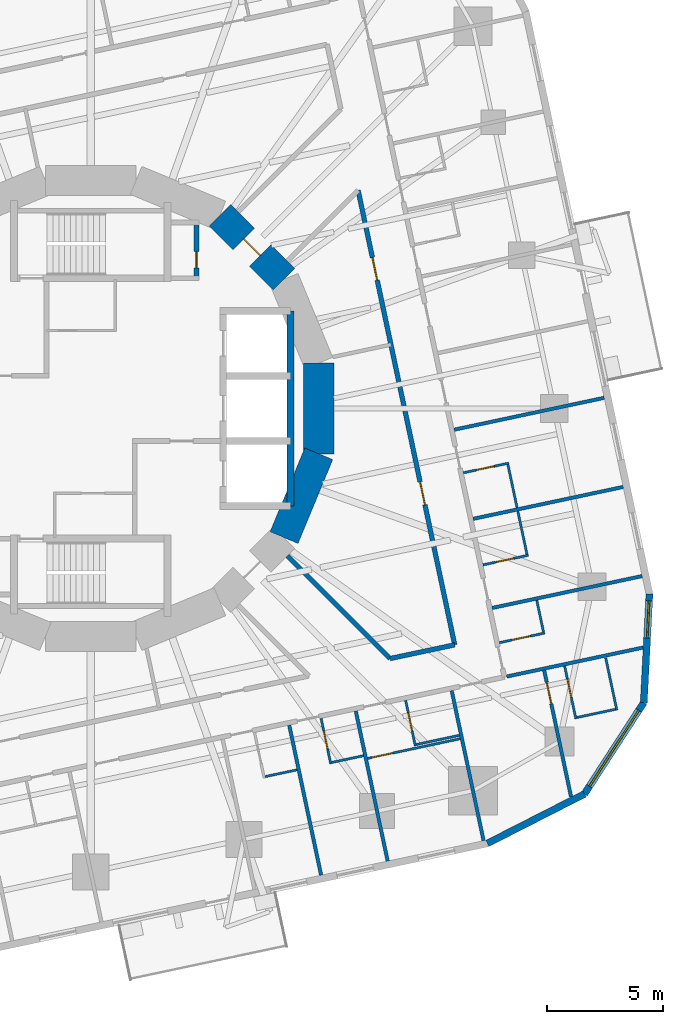
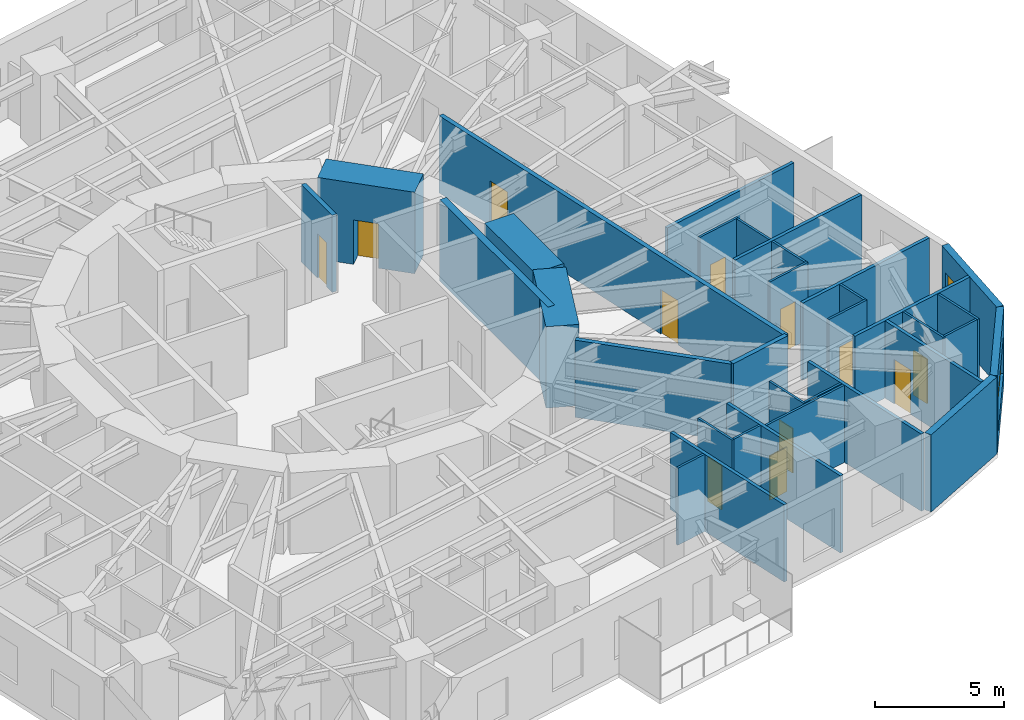
# One storey, part 8 of 14: 34 walls, 12 doors, 2 windows, 14 openings.
"""IFC4 building model written with IfcOpenShell, lengths in metres."""

from ifc_helpers import new_model, si_unit, direction, frame, frame_2d, origin, place, context, subcontext, project, spatial, rectangle, extrude, material, layer, layer_set, type_object, element, fill, save


model = new_model("IFC4")

# Units and contexts
model_context = context("Model", 3, precision=1e-05, world=origin(), true_north=direction((0.0, 1.0)))
body_context = subcontext(model_context, "Body", "Model", "MODEL_VIEW")
ifc_project = project(units=[si_unit("LENGTHUNIT", "METRE"), si_unit("AREAUNIT", "SQUARE_METRE"), si_unit("VOLUMEUNIT", "CUBIC_METRE"), si_unit("PLANEANGLEUNIT", "RADIAN"), si_unit("MASSUNIT", "GRAM", prefix="KILO")], contexts=[model_context])

# Site, building, storey
site_placement = place(None, origin())
site = spatial("IfcSite", under=ifc_project, at=site_placement, CompositionType="ELEMENT")
building_placement = place(site_placement, origin())
building = spatial("IfcBuilding", under=site, at=building_placement, Name="Nakasero Lantern House", CompositionType="ELEMENT")
storey_placement = place(building_placement, frame((0.0, 0.0, 120.39990234375)))
storey = spatial("IfcBuildingStorey", under=building, at=storey_placement, Name="L29", CompositionType="ELEMENT", Elevation=120.39990234375)

# Wall
ifc_material_1 = material(Name="Concrete C50/60", Category="concrete")
ifc_layer_1 = layer(ifc_material_1, 0.300048828125)
ifc_layer_set_1 = layer_set([ifc_layer_1], Name="Core inner wall 300")
wall_type_1 = type_object("IfcWallType", Name="Core inner wall 300", PredefinedType="SHEAR", material=ifc_layer_set_1)
wall_1_placement = place(storey_placement, frame((8.60009765625, -4.199951171875, 0.0), z_axis=(0.0, 0.0, 1.0), x_axis=(0.0, 1.0, 0.0)))
element("IfcWall", 1, at=wall_1_placement, inside=storey, type_object=wall_type_1, Name="Core inner wall L29 LEB", PredefinedType="SHEAR", context=body_context, shape_type="SweptSolid", body=[
    extrude(rectangle(XDim=8.39990234375, YDim=0.300048828125, at=frame_2d((4.199951171875, 0.0))), origin(), (0.0, 0.0, 1.0), 3.85009765625),
])

# Wall, opening, door
ifc_material_2 = material(Name="Concrete C50/60", Category="concrete")
ifc_layer_2 = layer(ifc_material_2, 1.300048828125)
ifc_layer_set_2 = layer_set([ifc_layer_2], Name="Core wall 1300")
wall_type_2 = type_object("IfcWallType", Name="Core wall 1300", PredefinedType="SHEAR", material=ifc_layer_set_2)
wall_2_placement = place(storey_placement, frame((8.314697265625, 5.5556640625, 0.0), z_axis=(0.0, 0.0, 1.0), x_axis=(-0.707106781187, 0.707106781187, 0.0)))
wall_2 = element("IfcWall", 2, at=wall_2_placement, inside=storey, type_object=wall_type_2, Name="Core wall L29 facet 2", PredefinedType="SHEAR", context=body_context, shape_type="SweptSolid", body=[
    extrude(rectangle(XDim=3.90185546875, YDim=1.300048828125, at=frame_2d((1.950927734375, 0.0))), origin(), (0.0, 0.0, 1.0), 3.85009765625),
])
opening_1_placement = place(wall_2_placement, frame((1.450927734375, 0.0, 0.0)))
opening_1 = element("IfcOpeningElement", 3, at=opening_1_placement, cuts=wall_2, Name="Opening D05", PredefinedType="OPENING", context=body_context, shape_type="SweptSolid", body=[
    extrude(rectangle(XDim=1.0, YDim=2.10009765625, at=frame_2d((0.5, 1.050048828125))), frame((0.0, 0.669921875, 0.0), z_axis=(0.0, -1.0, 0.0), x_axis=(1.0, 0.0, 0.0)), (0.0, 0.0, 1.0), 1.340087890625),
])
ifc_material_3 = material(Name="Timber C24", Category="wood")
door_type_1 = type_object("IfcDoorType", Name="Core door FD60S 1000", OperationType="SINGLE_SWING_LEFT", PredefinedType="DOOR", material=ifc_material_3)
door_1_placement = place(opening_1_placement, origin())
door_1 = element("IfcDoor", 4, at=door_1_placement, inside=storey, type_object=door_type_1, Name="Door L29 D-CORE02", OperationType="SINGLE_SWING_LEFT", OverallHeight=2.10009765625, OverallWidth=1.0, PredefinedType="DOOR", context=body_context, shape_type="SweptSolid", body=[
    extrude(rectangle(XDim=1.0, YDim=2.10009765625, at=frame_2d((0.5, 1.050048828125))), frame((0.0, 0.02490234375, 0.0), z_axis=(0.0, -1.0, 0.0), x_axis=(1.0, 0.0, 0.0)), (0.0, 0.0, 1.0), 0.050048828125),
])
fill(opening_1, door_1)

# Walls
for number, where, z_axis, x_axis, name in (
    (5, (8.314697265625, -5.5556640625, 0.0), (0.0, 0.0, 1.0), (0.382690736062, 0.923876507187, 0.0), "Core wall L29 facet 15"),
    (6, (9.807861328125, -1.950927734375, 0.0), (0.0, 0.0, 1.0), (0.0, 1.0, 0.0), "Core wall L29 facet 16"),
):
    element("IfcWall", number, at=place(storey_placement, frame(where, z_axis=z_axis, x_axis=x_axis)), inside=storey, type_object=wall_type_2, Name=name, PredefinedType="SHEAR", context=body_context, shape_type="SweptSolid", body=[
        extrude(rectangle(XDim=3.90185546875, YDim=1.300048828125, at=frame_2d((1.950927734375, 0.0))), origin(), (0.0, 0.0, 1.0), 3.85009765625),
    ])

# Wall, openings, doors
ifc_material_4 = material(Name="Blockwork", Category="masonry")
ifc_layer_3 = layer(ifc_material_4, 0.199951171875)
ifc_layer_set_3 = layer_set([ifc_layer_3], Name="Corridor wall 200")
wall_type_3 = type_object("IfcWallType", Name="Corridor wall 200", PredefinedType="PARTITIONING", material=ifc_layer_set_3)
wall_3_placement = place(storey_placement, frame((15.656005859375, -10.1669921875, 0.0), z_axis=(0.0, 0.0, 1.0), x_axis=(-0.20791018816, 0.978147920132, 0.0)))
wall_3 = element("IfcWall", 7, at=wall_3_placement, inside=storey, type_object=wall_type_3, Name="Corridor wall L29 IW0-0", PredefinedType="PARTITIONING", context=body_context, shape_type="SweptSolid", body=[
    extrude(rectangle(XDim=19.983642578125, YDim=0.199951171875, at=frame_2d((9.99169921875, 0.0))), origin(), (0.0, 0.0, 1.0), 3.650146484375),
])
opening_2_placement = place(wall_3_placement, frame((6.162353515625, 0.0, 0.0)))
opening_2 = element("IfcOpeningElement", 8, at=opening_2_placement, cuts=wall_3, Name="Opening D07", PredefinedType="OPENING", context=body_context, shape_type="SweptSolid", body=[
    extrude(rectangle(XDim=1.0, YDim=2.10009765625, at=frame_2d((0.5, 1.050048828125))), frame((0.0, 0.119873046875, 0.0), z_axis=(0.0, -1.0, 0.0), x_axis=(1.0, 0.0, 0.0)), (0.0, 0.0, 1.0), 0.239990234375),
])
opening_3_placement = place(wall_3_placement, frame((16.029296875, 0.0, 0.0)))
opening_3 = element("IfcOpeningElement", 9, at=opening_3_placement, cuts=wall_3, Name="Opening D07", PredefinedType="OPENING", context=body_context, shape_type="SweptSolid", body=[
    extrude(rectangle(XDim=1.0, YDim=2.10009765625, at=frame_2d((0.5, 1.050048828125))), frame((0.0, 0.119873046875, 0.0), z_axis=(0.0, -1.0, 0.0), x_axis=(1.0, 0.0, 0.0)), (0.0, 0.0, 1.0), 0.239990234375),
])
ifc_material_5 = material(Name="Timber C24", Category="wood")
door_type_2 = type_object("IfcDoorType", Name="Room door FD30S 1000", OperationType="SINGLE_SWING_LEFT", PredefinedType="DOOR", material=ifc_material_5)
door_2_placement = place(opening_2_placement, origin())
door_2 = element("IfcDoor", 10, at=door_2_placement, inside=storey, type_object=door_type_2, Name="Door L29 DI3", OperationType="SINGLE_SWING_LEFT", OverallHeight=2.10009765625, OverallWidth=1.0, PredefinedType="DOOR", context=body_context, shape_type="SweptSolid", body=[
    extrude(rectangle(XDim=1.0, YDim=2.10009765625, at=frame_2d((0.5, 1.050048828125))), frame((0.0, 0.02490234375, 0.0), z_axis=(0.0, -1.0, 0.0), x_axis=(1.0, 0.0, 0.0)), (0.0, 0.0, 1.0), 0.050048828125),
])
fill(opening_2, door_2)
door_3_placement = place(opening_3_placement, origin())
door_3 = element("IfcDoor", 11, at=door_3_placement, inside=storey, type_object=door_type_2, Name="Door L29 DI4", OperationType="SINGLE_SWING_RIGHT", OverallHeight=2.10009765625, OverallWidth=1.0, PredefinedType="DOOR", context=body_context, shape_type="SweptSolid", body=[
    extrude(rectangle(XDim=1.0, YDim=2.10009765625, at=frame_2d((0.5, 1.050048828125))), frame((0.0, 0.02490234375, 0.0), z_axis=(0.0, -1.0, 0.0), x_axis=(1.0, 0.0, 0.0)), (0.0, 0.0, 1.0), 0.050048828125),
])
fill(opening_3, door_3)

# Walls
wall_4_placement = place(storey_placement, frame((12.878662109375, -10.75732421875, 0.0), z_axis=(0.0, 0.0, 1.0), x_axis=(0.97814836043, 0.207908116695, 0.0)))
element("IfcWall", 12, at=wall_4_placement, inside=storey, type_object=wall_type_3, Name="Corridor wall L29 IW3-1", PredefinedType="PARTITIONING", context=body_context, shape_type="SweptSolid", body=[
    extrude(rectangle(XDim=2.83935546875, YDim=0.199951171875, at=frame_2d((1.419677734375, 0.0))), origin(), (0.0, 0.0, 1.0), 3.650146484375),
])
wall_5_placement = place(storey_placement, frame((8.45556640625, -6.334228515625, 0.0), z_axis=(0.0, 0.0, 1.0), x_axis=(0.707106781187, -0.707106781187, 0.0)))
element("IfcWall", 13, at=wall_5_placement, inside=storey, type_object=wall_type_3, Name="Corridor wall L29 PS14a", PredefinedType="PARTITIONING", context=body_context, shape_type="SweptSolid", body=[
    extrude(rectangle(XDim=6.255126953125, YDim=0.199951171875, at=frame_2d((3.12744140625, 0.0))), origin(), (0.0, 0.0, 1.0), 3.650146484375),
])

# Wall, opening, door
ifc_material_6 = material(Name="Blockwork", Category="masonry")
ifc_layer_4 = layer(ifc_material_6, 0.10009765625)
ifc_layer_set_4 = layer_set([ifc_layer_4], Name="En-suite wall 100")
wall_type_4 = type_object("IfcWallType", Name="En-suite wall 100", PredefinedType="PARTITIONING", material=ifc_layer_set_4)
wall_6_placement = place(storey_placement, frame((17.57861328125, -10.07421875, 0.0), z_axis=(0.0, 0.0, 1.0), x_axis=(0.978152955943, 0.207886494942, 0.0)))
wall_6 = element("IfcWall", 14, at=wall_6_placement, inside=storey, type_object=wall_type_4, Name="En-suite wall L29 ES0-00", PredefinedType="PARTITIONING", context=body_context, shape_type="SweptSolid", body=[
    extrude(rectangle(XDim=2.0, YDim=0.10009765625, at=frame_2d((1.0, 0.0))), origin(), (0.0, 0.0, 1.0), 3.650146484375),
])
opening_4_placement = place(wall_6_placement, frame((0.550048828125, 0.0, 0.0)))
opening_4 = element("IfcOpeningElement", 15, at=opening_4_placement, cuts=wall_6, Name="Opening D02", PredefinedType="OPENING", context=body_context, shape_type="SweptSolid", body=[
    extrude(rectangle(XDim=0.800048828125, YDim=2.10009765625, at=frame_2d((0.39990234375, 1.050048828125))), frame((0.0, 0.070068359375, 0.0), z_axis=(0.0, -1.0, 0.0), x_axis=(1.0, 0.0, 0.0)), (0.0, 0.0, 1.0), 0.14013671875),
])
ifc_material_7 = material(Name="Timber C24", Category="wood")
door_type_3 = type_object("IfcDoorType", Name="En-suite door 800", OperationType="SINGLE_SWING_RIGHT", PredefinedType="DOOR", material=ifc_material_7)
door_4_placement = place(opening_4_placement, origin())
door_4 = element("IfcDoor", 16, at=door_4_placement, inside=storey, type_object=door_type_3, Name="Door L29 DE0-00", OperationType="SINGLE_SWING_LEFT", OverallHeight=2.10009765625, OverallWidth=0.800048828125, PredefinedType="DOOR", context=body_context, shape_type="SweptSolid", body=[
    extrude(rectangle(XDim=0.800048828125, YDim=2.10009765625, at=frame_2d((0.39990234375, 1.050048828125))), frame((0.0, 0.02490234375, 0.0), z_axis=(0.0, -1.0, 0.0), x_axis=(1.0, 0.0, 0.0)), (0.0, 0.0, 1.0), 0.050048828125),
])
fill(opening_4, door_4)

# Wall
wall_7_placement = place(storey_placement, frame((19.4755859375, -9.619873046875, 0.0), z_axis=(0.0, 0.0, 1.0), x_axis=(-0.207873355681, 0.978155748334, 0.0)))
element("IfcWall", 17, at=wall_7_placement, inside=storey, type_object=wall_type_4, Name="En-suite wall L29 EE0-00", PredefinedType="PARTITIONING", context=body_context, shape_type="SweptSolid", body=[
    extrude(rectangle(XDim=1.39990234375, YDim=0.10009765625, at=frame_2d((0.699951171875, 0.0))), origin(), (0.0, 0.0, 1.0), 3.650146484375),
])

# Wall, opening, door
wall_8_placement = place(storey_placement, frame((16.86767578125, -6.7294921875, 0.0), z_axis=(0.0, 0.0, 1.0), x_axis=(0.978128127149, 0.208003285743, 0.0)))
wall_8 = element("IfcWall", 18, at=wall_8_placement, inside=storey, type_object=wall_type_4, Name="En-suite wall L29 ES0-01", PredefinedType="PARTITIONING", context=body_context, shape_type="SweptSolid", body=[
    extrude(rectangle(XDim=2.0, YDim=0.10009765625, at=frame_2d((1.0, 0.0))), origin(), (0.0, 0.0, 1.0), 3.650146484375),
])
opening_5_placement = place(wall_8_placement, frame((0.550048828125, 0.0, 0.0)))
opening_5 = element("IfcOpeningElement", 19, at=opening_5_placement, cuts=wall_8, Name="Opening D02", PredefinedType="OPENING", context=body_context, shape_type="SweptSolid", body=[
    extrude(rectangle(XDim=0.800048828125, YDim=2.10009765625, at=frame_2d((0.39990234375, 1.050048828125))), frame((0.0, 0.070068359375, 0.0), z_axis=(0.0, -1.0, 0.0), x_axis=(1.0, 0.0, 0.0)), (0.0, 0.0, 1.0), 0.14013671875),
])
door_5_placement = place(opening_5_placement, origin())
door_5 = element("IfcDoor", 20, at=door_5_placement, inside=storey, type_object=door_type_3, Name="Door L29 DE0-01", OperationType="SINGLE_SWING_LEFT", OverallHeight=2.10009765625, OverallWidth=0.800048828125, PredefinedType="DOOR", context=body_context, shape_type="SweptSolid", body=[
    extrude(rectangle(XDim=0.800048828125, YDim=2.10009765625, at=frame_2d((0.39990234375, 1.050048828125))), frame((0.0, 0.02490234375, 0.0), z_axis=(0.0, -1.0, 0.0), x_axis=(1.0, 0.0, 0.0)), (0.0, 0.0, 1.0), 0.050048828125),
])
fill(opening_5, door_5)

# Wall
wall_9_placement = place(storey_placement, frame((18.7646484375, -6.275146484375, 0.0), z_axis=(0.0, 0.0, 1.0), x_axis=(-0.207887952389, 0.978152646192, 0.0)))
element("IfcWall", 21, at=wall_9_placement, inside=storey, type_object=wall_type_4, Name="En-suite wall L29 EE0-01", PredefinedType="PARTITIONING", context=body_context, shape_type="SweptSolid", body=[
    extrude(rectangle(XDim=1.900146484375, YDim=0.10009765625, at=frame_2d((0.9501953125, 0.0))), origin(), (0.0, 0.0, 1.0), 3.650146484375),
])

# Wall, opening, door
wall_10_placement = place(storey_placement, frame((16.025634765625, -2.767822265625, 0.0), z_axis=(0.0, 0.0, 1.0), x_axis=(0.978152955943, 0.207886494942, 0.0)))
wall_10 = element("IfcWall", 22, at=wall_10_placement, inside=storey, type_object=wall_type_4, Name="En-suite wall L29 ES0-02", PredefinedType="PARTITIONING", context=body_context, shape_type="SweptSolid", body=[
    extrude(rectangle(XDim=2.0, YDim=0.10009765625, at=frame_2d((1.0, 0.0))), origin(), (0.0, 0.0, 1.0), 3.650146484375),
])
opening_6_placement = place(wall_10_placement, frame((0.550048828125, 0.0, 0.0)))
opening_6 = element("IfcOpeningElement", 23, at=opening_6_placement, cuts=wall_10, Name="Opening D02", PredefinedType="OPENING", context=body_context, shape_type="SweptSolid", body=[
    extrude(rectangle(XDim=0.800048828125, YDim=2.10009765625, at=frame_2d((0.39990234375, 1.050048828125))), frame((0.0, 0.070068359375, 0.0), z_axis=(0.0, -1.0, 0.0), x_axis=(1.0, 0.0, 0.0)), (0.0, 0.0, 1.0), 0.14013671875),
])
door_6_placement = place(opening_6_placement, origin())
door_6 = element("IfcDoor", 24, at=door_6_placement, inside=storey, type_object=door_type_3, Name="Door L29 DE0-02", OperationType="SINGLE_SWING_LEFT", OverallHeight=2.10009765625, OverallWidth=0.800048828125, PredefinedType="DOOR", context=body_context, shape_type="SweptSolid", body=[
    extrude(rectangle(XDim=0.800048828125, YDim=2.10009765625, at=frame_2d((0.39990234375, 1.050048828125))), frame((0.0, 0.02490234375, 0.0), z_axis=(0.0, -1.0, 0.0), x_axis=(1.0, 0.0, 0.0)), (0.0, 0.0, 1.0), 0.050048828125),
])
fill(opening_6, door_6)

# Walls
wall_11_placement = place(storey_placement, frame((18.33837890625, -4.269775390625, 0.0), z_axis=(0.0, 0.0, 1.0), x_axis=(-0.207914082431, 0.978147092378, 0.0)))
element("IfcWall", 25, at=wall_11_placement, inside=storey, type_object=wall_type_4, Name="En-suite wall L29 EE0-02", PredefinedType="PARTITIONING", context=body_context, shape_type="SweptSolid", body=[
    extrude(rectangle(XDim=1.89990234375, YDim=0.10009765625, at=frame_2d((0.949951171875, 0.0))), origin(), (0.0, 0.0, 1.0), 3.650146484375),
])
wall_12_placement = place(storey_placement, frame((7.50048828125, -15.836669921875, 0.0), z_axis=(0.0, 0.0, 1.0), x_axis=(0.978155748334, 0.207873355681, 0.0)))
element("IfcWall", 26, at=wall_12_placement, inside=storey, type_object=wall_type_4, Name="En-suite wall L29 EE3-05", PredefinedType="PARTITIONING", context=body_context, shape_type="SweptSolid", body=[
    extrude(rectangle(XDim=1.39990234375, YDim=0.10009765625, at=frame_2d((0.699951171875, 0.0))), origin(), (0.0, 0.0, 1.0), 3.650146484375),
])

# Wall, opening, door
wall_13_placement = place(storey_placement, frame((9.908447265625, -13.331298828125, 0.0), z_axis=(0.0, 0.0, 1.0), x_axis=(0.208003285743, -0.978128127149, 0.0)))
wall_13 = element("IfcWall", 27, at=wall_13_placement, inside=storey, type_object=wall_type_4, Name="En-suite wall L29 ES3-06", PredefinedType="PARTITIONING", context=body_context, shape_type="SweptSolid", body=[
    extrude(rectangle(XDim=2.0, YDim=0.10009765625, at=frame_2d((1.0, 0.0))), origin(), (0.0, 0.0, 1.0), 3.650146484375),
])
opening_7_placement = place(wall_13_placement, frame((0.550048828125, 0.0, 0.0)))
opening_7 = element("IfcOpeningElement", 28, at=opening_7_placement, cuts=wall_13, Name="Opening D02", PredefinedType="OPENING", context=body_context, shape_type="SweptSolid", body=[
    extrude(rectangle(XDim=0.800048828125, YDim=2.10009765625, at=frame_2d((0.39990234375, 1.050048828125))), frame((0.0, 0.070068359375, 0.0), z_axis=(0.0, -1.0, 0.0), x_axis=(1.0, 0.0, 0.0)), (0.0, 0.0, 1.0), 0.14013671875),
])
door_7_placement = place(opening_7_placement, origin())
door_7 = element("IfcDoor", 29, at=door_7_placement, inside=storey, type_object=door_type_3, Name="Door L29 DE3-06", OperationType="SINGLE_SWING_LEFT", OverallHeight=2.10009765625, OverallWidth=0.800048828125, PredefinedType="DOOR", context=body_context, shape_type="SweptSolid", body=[
    extrude(rectangle(XDim=0.800048828125, YDim=2.10009765625, at=frame_2d((0.39990234375, 1.050048828125))), frame((0.0, 0.02490234375, 0.0), z_axis=(0.0, -1.0, 0.0), x_axis=(1.0, 0.0, 0.0)), (0.0, 0.0, 1.0), 0.050048828125),
])
fill(opening_7, door_7)

# Wall
wall_14_placement = place(storey_placement, frame((10.36279296875, -15.228271484375, 0.0), z_axis=(0.0, 0.0, 1.0), x_axis=(0.978155748334, 0.207873355681, 0.0)))
element("IfcWall", 30, at=wall_14_placement, inside=storey, type_object=wall_type_4, Name="En-suite wall L29 EE3-06", PredefinedType="PARTITIONING", context=body_context, shape_type="SweptSolid", body=[
    extrude(rectangle(XDim=1.39990234375, YDim=0.10009765625, at=frame_2d((0.699951171875, 0.0))), origin(), (0.0, 0.0, 1.0), 3.650146484375),
])

# Wall, opening, door
wall_15_placement = place(storey_placement, frame((13.54541015625, -12.55810546875, 0.0), z_axis=(0.0, 0.0, 1.0), x_axis=(0.207886494942, -0.978152955943, 0.0)))
wall_15 = element("IfcWall", 31, at=wall_15_placement, inside=storey, type_object=wall_type_4, Name="En-suite wall L29 ES3-07", PredefinedType="PARTITIONING", context=body_context, shape_type="SweptSolid", body=[
    extrude(rectangle(XDim=2.0, YDim=0.10009765625, at=frame_2d((1.0, 0.0))), origin(), (0.0, 0.0, 1.0), 3.650146484375),
])
opening_8_placement = place(wall_15_placement, frame((0.550048828125, 0.0, 0.0)))
opening_8 = element("IfcOpeningElement", 32, at=opening_8_placement, cuts=wall_15, Name="Opening D02", PredefinedType="OPENING", context=body_context, shape_type="SweptSolid", body=[
    extrude(rectangle(XDim=0.800048828125, YDim=2.10009765625, at=frame_2d((0.39990234375, 1.050048828125))), frame((0.0, 0.070068359375, 0.0), z_axis=(0.0, -1.0, 0.0), x_axis=(1.0, 0.0, 0.0)), (0.0, 0.0, 1.0), 0.14013671875),
])
door_8_placement = place(opening_8_placement, origin())
door_8 = element("IfcDoor", 33, at=door_8_placement, inside=storey, type_object=door_type_3, Name="Door L29 DE3-07", OperationType="SINGLE_SWING_LEFT", OverallHeight=2.10009765625, OverallWidth=0.800048828125, PredefinedType="DOOR", context=body_context, shape_type="SweptSolid", body=[
    extrude(rectangle(XDim=0.800048828125, YDim=2.10009765625, at=frame_2d((0.39990234375, 1.050048828125))), frame((0.0, 0.02490234375, 0.0), z_axis=(0.0, -1.0, 0.0), x_axis=(1.0, 0.0, 0.0)), (0.0, 0.0, 1.0), 0.050048828125),
])
fill(opening_8, door_8)

# Wall
wall_16_placement = place(storey_placement, frame((13.999755859375, -14.455078125, 0.0), z_axis=(0.0, 0.0, 1.0), x_axis=(0.978147092378, 0.207914082431, 0.0)))
element("IfcWall", 34, at=wall_16_placement, inside=storey, type_object=wall_type_4, Name="En-suite wall L29 EE3-07", PredefinedType="PARTITIONING", context=body_context, shape_type="SweptSolid", body=[
    extrude(rectangle(XDim=1.89990234375, YDim=0.10009765625, at=frame_2d((0.949951171875, 0.0))), origin(), (0.0, 0.0, 1.0), 3.650146484375),
])

# Wall, opening, door
wall_17_placement = place(storey_placement, frame((20.382568359375, -11.069091796875, 0.0), z_axis=(0.0, 0.0, 1.0), x_axis=(0.207965047255, -0.978136257952, 0.0)))
wall_17 = element("IfcWall", 35, at=wall_17_placement, inside=storey, type_object=wall_type_4, Name="En-suite wall L29 ES3-08", PredefinedType="PARTITIONING", context=body_context, shape_type="SweptSolid", body=[
    extrude(rectangle(XDim=2.3349609375, YDim=0.10009765625, at=frame_2d((1.16748046875, 0.0))), origin(), (0.0, 0.0, 1.0), 3.650146484375),
])
opening_9_placement = place(wall_17_placement, frame((0.5849609375, 0.0, 0.0)))
opening_9 = element("IfcOpeningElement", 36, at=opening_9_placement, cuts=wall_17, Name="Opening D02", PredefinedType="OPENING", context=body_context, shape_type="SweptSolid", body=[
    extrude(rectangle(XDim=0.800048828125, YDim=2.10009765625, at=frame_2d((0.39990234375, 1.050048828125))), frame((0.0, 0.070068359375, 0.0), z_axis=(0.0, -1.0, 0.0), x_axis=(1.0, 0.0, 0.0)), (0.0, 0.0, 1.0), 0.14013671875),
])
door_9_placement = place(opening_9_placement, origin())
door_9 = element("IfcDoor", 37, at=door_9_placement, inside=storey, type_object=door_type_3, Name="Door L29 DE3-08", OperationType="SINGLE_SWING_LEFT", OverallHeight=2.10009765625, OverallWidth=0.800048828125, PredefinedType="DOOR", context=body_context, shape_type="SweptSolid", body=[
    extrude(rectangle(XDim=0.800048828125, YDim=2.10009765625, at=frame_2d((0.39990234375, 1.050048828125))), frame((0.0, 0.02490234375, 0.0), z_axis=(0.0, -1.0, 0.0), x_axis=(1.0, 0.0, 0.0)), (0.0, 0.0, 1.0), 0.050048828125),
])
fill(opening_9, door_9)

# Walls
wall_18_placement = place(storey_placement, frame((20.906494140625, -13.293701171875, 0.0), z_axis=(0.0, 0.0, 1.0), x_axis=(0.978168704767, 0.207812379357, 0.0)))
element("IfcWall", 38, at=wall_18_placement, inside=storey, type_object=wall_type_4, Name="En-suite wall L29 EE3-08", PredefinedType="PARTITIONING", context=body_context, shape_type="SweptSolid", body=[
    extrude(rectangle(XDim=1.699951171875, YDim=0.10009765625, at=frame_2d((0.85009765625, 0.0))), origin(), (0.0, 0.0, 1.0), 3.650146484375),
])
wall_19_placement = place(storey_placement, frame((22.150634765625, -10.72900390625, 0.0), z_axis=(0.0, 0.0, 1.0), x_axis=(0.207839712757, -0.978162897375, 0.0)))
element("IfcWall", 39, at=wall_19_placement, inside=storey, type_object=wall_type_4, Name="En-suite wall L29 EV3-08", PredefinedType="PARTITIONING", context=body_context, shape_type="SweptSolid", body=[
    extrude(rectangle(XDim=2.300048828125, YDim=0.10009765625, at=frame_2d((1.14990234375, 0.0))), origin(), (0.0, 0.0, 1.0), 3.650146484375),
])

# Wall, opening, door
wall_20_placement = place(storey_placement, frame((11.91015625, -15.052734375, 0.0), z_axis=(0.0, 0.0, 1.0), x_axis=(0.978141002414, 0.207942731049, 0.0)))
wall_20 = element("IfcWall", 40, at=wall_20_placement, inside=storey, type_object=wall_type_4, Name="En-suite wall L29 EL3-07", PredefinedType="PARTITIONING", context=body_context, shape_type="SweptSolid", body=[
    extrude(rectangle(XDim=4.068115234375, YDim=0.10009765625, at=frame_2d((2.0341796875, 0.0))), origin(), (0.0, 0.0, 1.0), 3.650146484375),
])
opening_10_placement = place(wall_20_placement, frame((0.199951171875, 0.0, 0.0)))
opening_10 = element("IfcOpeningElement", 41, at=opening_10_placement, cuts=wall_20, Name="Opening D17", PredefinedType="OPENING", context=body_context, shape_type="SweptSolid", body=[
    extrude(rectangle(XDim=0.89990234375, YDim=2.10009765625, at=frame_2d((0.449951171875, 1.050048828125))), frame((0.0, 0.070068359375, 0.0), z_axis=(0.0, -1.0, 0.0), x_axis=(1.0, 0.0, 0.0)), (0.0, 0.0, 1.0), 0.14013671875),
])
ifc_material_8 = material(Name="Timber C24", Category="wood")
door_type_4 = type_object("IfcDoorType", Name="Bedroom door FD30S 900", OperationType="SINGLE_SWING_LEFT", PredefinedType="DOOR", material=ifc_material_8)
door_10_placement = place(opening_10_placement, origin())
door_10 = element("IfcDoor", 42, at=door_10_placement, inside=storey, type_object=door_type_4, Name="Door L29 DL3-07", OperationType="SINGLE_SWING_LEFT", OverallHeight=2.10009765625, OverallWidth=0.89990234375, PredefinedType="DOOR", context=body_context, shape_type="SweptSolid", body=[
    extrude(rectangle(XDim=0.89990234375, YDim=2.10009765625, at=frame_2d((0.449951171875, 1.050048828125))), frame((0.0, 0.02490234375, 0.0), z_axis=(0.0, -1.0, 0.0), x_axis=(1.0, 0.0, 0.0)), (0.0, 0.0, 1.0), 0.050048828125),
])
fill(opening_10, door_10)

# Wall
ifc_material_9 = material(Name="Aluminium rainscreen on blockwork", Category="masonry")
ifc_layer_5 = layer(ifc_material_9, 0.300048828125)
ifc_layer_set_5 = layer_set([ifc_layer_5], Name="Facade wall 300")
wall_type_5 = type_object("IfcWallType", Name="Facade wall 300", PredefinedType="SOLIDWALL", material=ifc_layer_set_5)
wall_21_placement = place(storey_placement, frame((17.063232421875, -18.711181640625, 0.0), z_axis=(0.0, 0.0, 1.0), x_axis=(0.89101404178, 0.453975745332, 0.0)))
element("IfcWall", 43, at=wall_21_placement, inside=storey, type_object=wall_type_5, Name="Facade wall L29 FW3C1", PredefinedType="SOLIDWALL", context=body_context, shape_type="SweptSolid", body=[
    extrude(rectangle(XDim=4.6845703125, YDim=0.300048828125, at=frame_2d((2.34228515625, 0.0))), origin(), (0.0, 0.0, 1.0), 3.650146484375),
])

# Wall, opening, window
wall_22_placement = place(storey_placement, frame((21.2373046875, -16.58447265625, 0.0), z_axis=(0.0, 0.0, 1.0), x_axis=(0.544605442853, 0.838692381994, 0.0)))
wall_22 = element("IfcWall", 44, at=wall_22_placement, inside=storey, type_object=wall_type_5, Name="Facade wall L29 FW3C2", PredefinedType="SOLIDWALL", context=body_context, shape_type="SweptSolid", body=[
    extrude(rectangle(XDim=4.6845703125, YDim=0.300048828125, at=frame_2d((2.34228515625, 0.0))), origin(), (0.0, 0.0, 1.0), 3.650146484375),
])
opening_11_placement = place(wall_22_placement, frame((0.39990234375, 0.0, 0.75)))
opening_11 = element("IfcOpeningElement", 45, at=opening_11_placement, cuts=wall_22, Name="Opening W238", PredefinedType="OPENING", context=body_context, shape_type="SweptSolid", body=[
    extrude(rectangle(XDim=3.885009765625, YDim=1.800048828125, at=frame_2d((1.9423828125, 0.89990234375))), frame((0.0, 0.169921875, 0.0), z_axis=(0.0, -1.0, 0.0), x_axis=(1.0, 0.0, 0.0)), (0.0, 0.0, 1.0), 0.340087890625),
])
ifc_material_10 = material(Name="Aluminium 6063-T6 and glass", Category="aluminium")
window_type_1 = type_object("IfcWindowType", Name="Corner window 3885x1800", PartitioningType="SINGLE_PANEL", PredefinedType="WINDOW", material=ifc_material_10)
window_1_placement = place(opening_11_placement, origin())
window_1 = element("IfcWindow", 46, at=window_1_placement, inside=storey, type_object=window_type_1, Name="Window L29 WC3", OverallHeight=1.800048828125, OverallWidth=3.885009765625, PartitioningType="SINGLE_PANEL", PredefinedType="WINDOW", context=body_context, shape_type="SweptSolid", body=[
    extrude(rectangle(XDim=3.885009765625, YDim=1.800048828125, at=frame_2d((1.9423828125, 0.89990234375))), frame((0.0, 0.030029296875, 0.0), z_axis=(0.0, -1.0, 0.0), x_axis=(1.0, 0.0, 0.0)), (0.0, 0.0, 1.0), 0.06005859375),
])
fill(opening_11, window_1)

wall_23_placement = place(storey_placement, frame((23.78857421875, -12.655517578125, 0.0), z_axis=(0.0, 0.0, 1.0), x_axis=(0.052326317, 0.998630039879, 0.0)))
wall_23 = element("IfcWall", 47, at=wall_23_placement, inside=storey, type_object=wall_type_5, Name="Facade wall L29 FW3C3", PredefinedType="SOLIDWALL", context=body_context, shape_type="SweptSolid", body=[
    extrude(rectangle(XDim=4.684326171875, YDim=0.300048828125, at=frame_2d((2.34228515625, 0.0))), origin(), (0.0, 0.0, 1.0), 3.650146484375),
])
opening_12_placement = place(wall_23_placement, frame((2.784912109375, 0.0, 0.75)))
opening_12 = element("IfcOpeningElement", 48, at=opening_12_placement, cuts=wall_23, Name="Opening W01", PredefinedType="OPENING", context=body_context, shape_type="SweptSolid", body=[
    extrude(rectangle(XDim=1.60009765625, YDim=1.800048828125, at=frame_2d((0.800048828125, 0.89990234375))), frame((0.0, 0.169921875, 0.0), z_axis=(0.0, -1.0, 0.0), x_axis=(1.0, 0.0, 0.0)), (0.0, 0.0, 1.0), 0.340087890625),
])
ifc_material_11 = material(Name="Aluminium 6063-T6 and glass", Category="aluminium")
window_type_2 = type_object("IfcWindowType", Name="Bedroom window 1600x1800", PartitioningType="SINGLE_PANEL", PredefinedType="WINDOW", material=ifc_material_11)
window_2_placement = place(opening_12_placement, origin())
window_2 = element("IfcWindow", 49, at=window_2_placement, inside=storey, type_object=window_type_2, Name="Window L29 WN0-00", OverallHeight=1.800048828125, OverallWidth=1.60009765625, PartitioningType="SINGLE_PANEL", PredefinedType="WINDOW", context=body_context, shape_type="SweptSolid", body=[
    extrude(rectangle(XDim=1.60009765625, YDim=1.800048828125, at=frame_2d((0.800048828125, 0.89990234375))), frame((0.0, 0.030029296875, 0.0), z_axis=(0.0, -1.0, 0.0), x_axis=(1.0, 0.0, 0.0)), (0.0, 0.0, 1.0), 0.06005859375),
])
fill(opening_12, window_2)

# Wall, opening, door
ifc_material_12 = material(Name="Blockwork", Category="masonry")
ifc_layer_6 = layer(ifc_material_12, 0.199951171875)
ifc_layer_set_6 = layer_set([ifc_layer_6], Name="Fire lobby wall 200")
wall_type_6 = type_object("IfcWallType", Name="Fire lobby wall 200", PredefinedType="PARTITIONING", material=ifc_layer_set_6)
wall_24_placement = place(storey_placement, frame((4.550048828125, 5.60009765625, 0.0), z_axis=(0.0, 0.0, 1.0), x_axis=(0.0, 1.0, 0.0)))
wall_24 = element("IfcWall", 50, at=wall_24_placement, inside=storey, type_object=wall_type_6, Name="Fire lobby wall L29 W-RS1E", PredefinedType="PARTITIONING", context=body_context, shape_type="SweptSolid", body=[
    extrude(rectangle(XDim=2.39990234375, YDim=0.199951171875, at=frame_2d((1.199951171875, 0.0))), origin(), (0.0, 0.0, 1.0), 3.650146484375),
])
opening_13_placement = place(wall_24_placement, frame((0.449951171875, 0.0, 0.0)))
opening_13 = element("IfcOpeningElement", 51, at=opening_13_placement, cuts=wall_24, Name="Opening D06", PredefinedType="OPENING", context=body_context, shape_type="SweptSolid", body=[
    extrude(rectangle(XDim=0.699951171875, YDim=2.10009765625, at=frame_2d((0.35009765625, 1.050048828125))), frame((0.0, 0.119873046875, 0.0), z_axis=(0.0, -1.0, 0.0), x_axis=(1.0, 0.0, 0.0)), (0.0, 0.0, 1.0), 0.239990234375),
])
ifc_material_13 = material(Name="Steel S355", Category="steel")
door_type_5 = type_object("IfcDoorType", Name="Riser door FD60 700", OperationType="SINGLE_SWING_LEFT", PredefinedType="DOOR", material=ifc_material_13)
door_11_placement = place(opening_13_placement, origin())
door_11 = element("IfcDoor", 52, at=door_11_placement, inside=storey, type_object=door_type_5, Name="Door L29 D-RS1", OperationType="SINGLE_SWING_LEFT", OverallHeight=2.10009765625, OverallWidth=0.699951171875, PredefinedType="DOOR", context=body_context, shape_type="SweptSolid", body=[
    extrude(rectangle(XDim=0.699951171875, YDim=2.10009765625, at=frame_2d((0.35009765625, 1.050048828125))), frame((0.0, 0.02490234375, 0.0), z_axis=(0.0, -1.0, 0.0), x_axis=(1.0, 0.0, 0.0)), (0.0, 0.0, 1.0), 0.050048828125),
])
fill(opening_13, door_11)

# Walls
ifc_material_14 = material(Name="Blockwork", Category="masonry")
ifc_layer_7 = layer(ifc_material_14, 0.14990234375)
ifc_layer_set_7 = layer_set([ifc_layer_7], Name="Party wall 150")
wall_type_7 = type_object("IfcWallType", Name="Party wall 150", PredefinedType="PARTITIONING", material=ifc_layer_set_7)
wall_25_placement = place(storey_placement, frame((17.888671875, -11.53271484375, 0.0), z_axis=(0.0, 0.0, 1.0), x_axis=(0.978152955943, 0.207886494942, 0.0)))
element("IfcWall", 53, at=wall_25_placement, inside=storey, type_object=wall_type_7, Name="Party wall L29 PW0-00", PredefinedType="PARTITIONING", context=body_context, shape_type="SweptSolid", body=[
    extrude(rectangle(XDim=6.0, YDim=0.14990234375, at=frame_2d((3.0, 0.0))), origin(), (0.0, 0.0, 1.0), 3.650146484375),
])
wall_26_placement = place(storey_placement, frame((17.26171875, -8.58251953125, 0.0), z_axis=(0.0, 0.0, 1.0), x_axis=(0.978143241716, 0.207932197326, 0.0)))
element("IfcWall", 54, at=wall_26_placement, inside=storey, type_object=wall_type_7, Name="Party wall L29 PW0-01", PredefinedType="PARTITIONING", context=body_context, shape_type="SweptSolid", body=[
    extrude(rectangle(XDim=6.599853515625, YDim=0.14990234375, at=frame_2d((3.2998046875, 0.0))), origin(), (0.0, 0.0, 1.0), 3.650146484375),
])
wall_27_placement = place(storey_placement, frame((16.44677734375, -4.748779296875, 0.0), z_axis=(0.0, 0.0, 1.0), x_axis=(0.978144841009, 0.207924673876, 0.0)))
element("IfcWall", 55, at=wall_27_placement, inside=storey, type_object=wall_type_7, Name="Party wall L29 PW0-02", PredefinedType="PARTITIONING", context=body_context, shape_type="SweptSolid", body=[
    extrude(rectangle(XDim=6.60009765625, YDim=0.14990234375, at=frame_2d((3.300048828125, 0.0))), origin(), (0.0, 0.0, 1.0), 3.650146484375),
])
wall_28_placement = place(storey_placement, frame((15.6318359375, -0.914794921875, 0.0), z_axis=(0.0, 0.0, 1.0), x_axis=(0.978144841009, 0.207924673876, 0.0)))
element("IfcWall", 56, at=wall_28_placement, inside=storey, type_object=wall_type_7, Name="Party wall L29 PW0-03", PredefinedType="PARTITIONING", context=body_context, shape_type="SweptSolid", body=[
    extrude(rectangle(XDim=6.60009765625, YDim=0.14990234375, at=frame_2d((3.300048828125, 0.0))), origin(), (0.0, 0.0, 1.0), 3.121826171875),
])
for number, where, z_axis, x_axis, name in (
    (57, (8.537841796875, -13.62255859375, 0.0), (0.0, 0.0, 1.0), (0.207889281984, -0.97815236361, 0.0), "Party wall L29 PW3-06"),
    (58, (11.400146484375, -13.01416015625, 0.0), (0.0, 0.0, 1.0), (0.207924673876, -0.978144841009, 0.0), "Party wall L29 PW3-07"),
    (59, (15.526123046875, -12.13720703125, 0.0), (0.0, 0.0, 1.0), (0.207924673876, -0.978144841009, 0.0), "Party wall L29 PW3-08"),
):
    element("IfcWall", number, at=place(storey_placement, frame(where, z_axis=z_axis, x_axis=x_axis)), inside=storey, type_object=wall_type_7, Name=name, PredefinedType="PARTITIONING", context=body_context, shape_type="SweptSolid", body=[
        extrude(rectangle(XDim=6.60009765625, YDim=0.14990234375, at=frame_2d((3.300048828125, 0.0))), origin(), (0.0, 0.0, 1.0), 3.650146484375),
    ])

# Wall, opening, door
wall_29_placement = place(storey_placement, frame((19.502197265625, -11.256103515625, 0.0), z_axis=(0.0, 0.0, 1.0), x_axis=(0.207936339891, -0.978142361087, 0.0)))
wall_29 = element("IfcWall", 60, at=wall_29_placement, inside=storey, type_object=wall_type_7, Name="Party wall L29 PC3", PredefinedType="PARTITIONING", context=body_context, shape_type="SweptSolid", body=[
    extrude(rectangle(XDim=5.570068359375, YDim=0.14990234375, at=frame_2d((2.78515625, 0.0))), origin(), (0.0, 0.0, 1.0), 3.650146484375),
])
opening_14_placement = place(wall_29_placement, frame((0.534912109375, 0.0, 0.0)))
opening_14 = element("IfcOpeningElement", 61, at=opening_14_placement, cuts=wall_29, Name="Opening D01", PredefinedType="OPENING", context=body_context, shape_type="SweptSolid", body=[
    extrude(rectangle(XDim=0.949951171875, YDim=2.10009765625, at=frame_2d((0.47509765625, 1.050048828125))), frame((0.0, 0.094970703125, 0.0), z_axis=(0.0, -1.0, 0.0), x_axis=(1.0, 0.0, 0.0)), (0.0, 0.0, 1.0), 0.18994140625),
])
ifc_material_15 = material(Name="Timber C24", Category="wood")
door_type_6 = type_object("IfcDoorType", Name="Bedroom door FD30S 950", OperationType="SINGLE_SWING_LEFT", PredefinedType="DOOR", material=ifc_material_15)
door_12_placement = place(opening_14_placement, origin())
door_12 = element("IfcDoor", 62, at=door_12_placement, inside=storey, type_object=door_type_6, Name="Door L29 DC3", OperationType="SINGLE_SWING_LEFT", OverallHeight=2.10009765625, OverallWidth=0.949951171875, PredefinedType="DOOR", context=body_context, shape_type="SweptSolid", body=[
    extrude(rectangle(XDim=0.949951171875, YDim=2.10009765625, at=frame_2d((0.47509765625, 1.050048828125))), frame((0.0, 0.02490234375, 0.0), z_axis=(0.0, -1.0, 0.0), x_axis=(1.0, 0.0, 0.0)), (0.0, 0.0, 1.0), 0.050048828125),
])
fill(opening_14, door_12)

save(model, "model.ifc")
